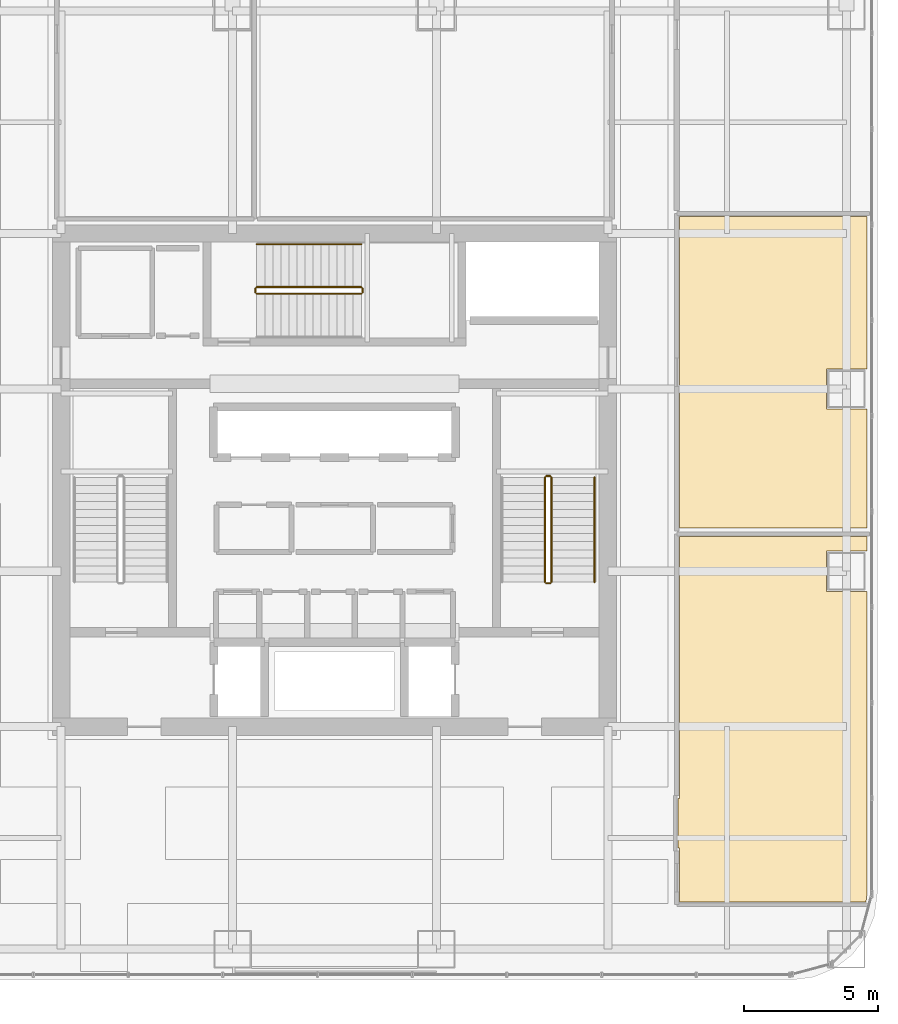
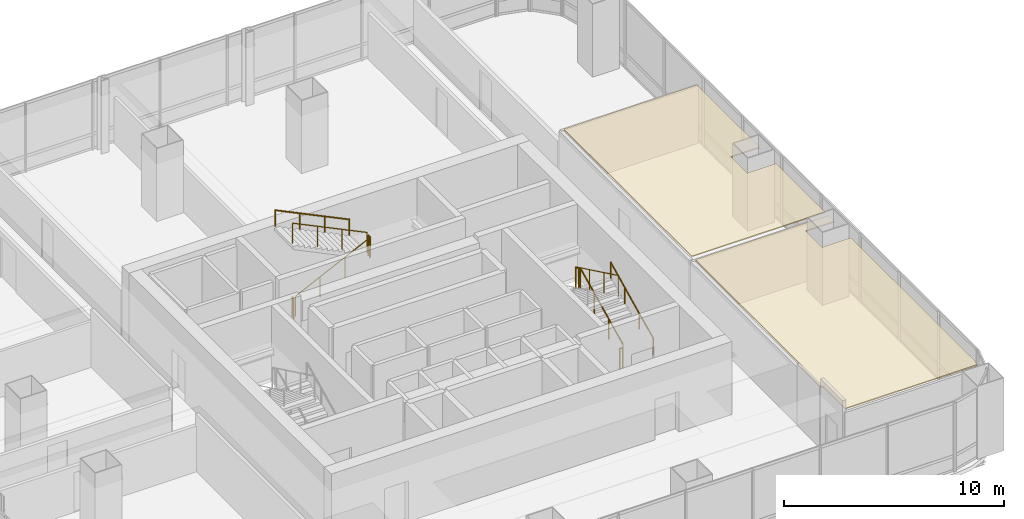
# One storey, part 37 of 38: 10 railings, 2 coverings.
"""IFC4 building model written with IfcOpenShell, lengths in metres."""

from ifc_helpers import new_model, si_unit, direction, frame, origin, origin_2d, place, context, subcontext, project, spatial, polyline, circle, outline, extrude, material, layer, layer_set, type_object, element, save


model = new_model("IFC4")

# Units and contexts
model_context = context("Model", 3, precision=1e-05, world=origin(), true_north=direction((0.0, 1.0)))
body_context = subcontext(model_context, "Body", "Model", "MODEL_VIEW")
ifc_project = project(units=[si_unit("LENGTHUNIT", "METRE"), si_unit("AREAUNIT", "SQUARE_METRE"), si_unit("VOLUMEUNIT", "CUBIC_METRE"), si_unit("PLANEANGLEUNIT", "RADIAN"), si_unit("MASSUNIT", "GRAM", prefix="KILO")], contexts=[model_context])

# Site, building, storey
site_placement = place(None, origin())
site = spatial("IfcSite", under=ifc_project, at=site_placement, CompositionType="ELEMENT")
building_placement = place(site_placement, origin())
building = spatial("IfcBuilding", under=site, at=building_placement, Name="Punatoya Terracotta Tower", CompositionType="ELEMENT")
storey_placement = place(building_placement, frame((0.0, 0.0, 143.85009765625)))
storey = spatial("IfcBuildingStorey", under=building, at=storey_placement, Name="L33", CompositionType="ELEMENT", Elevation=143.85009765625)

# Coverings
ifc_material_1 = material(Name="Acoustic Mineral Fibre Ceiling")
ifc_layer = layer(ifc_material_1, 0.06005859375)
ifc_layer_set = layer_set([ifc_layer], Name="Acoustic Mineral Fibre Ceiling")
covering_type = type_object("IfcCoveringType", Name="COV-CEIL-60", PredefinedType="CEILING", material=ifc_layer_set)
covering_1_placement = place(storey_placement, frame((0.0, 0.0, 3.219970703125)))
element("IfcCovering", 1, at=covering_1_placement, inside=storey, type_object=covering_type, Name="L33 Open-Plan Computational Simulation Laboratory Acoustic Ceiling", PredefinedType="CEILING", context=body_context, shape_type="SweptSolid", body=[
    extrude(outline(polyline([(12.81005859375, -13.72998046875), (12.8701171875, -13.72998046875), (12.8701171875, -15.739990234375), (19.82861328125, -15.739990234375), (19.8701171875, -15.425048828125), (19.8701171875, -4.14990234375), (18.35009765625, -4.14990234375), (18.35009765625, -2.64990234375), (19.8701171875, -2.64990234375), (19.8701171875, -2.113037109375), (12.8701171875, -2.113037109375), (12.8701171875, -11.8701171875), (12.81005859375, -11.8701171875), (12.81005859375, -13.72998046875)])), origin(), (0.0, 0.0, 1.0), 0.059814453125),
])
covering_2_placement = place(storey_placement, frame((0.0, 0.0, 3.219970703125)))
element("IfcCovering", 2, at=covering_2_placement, inside=storey, type_object=covering_type, Name="L33 Open-Plan Materials Testing Laboratory Acoustic Ceiling", PredefinedType="CEILING", context=body_context, shape_type="SweptSolid", body=[
    extrude(outline(polyline([(18.35009765625, 4.14990234375), (19.8701171875, 4.14990234375), (19.8701171875, 9.842041015625), (12.8701171875, 9.842041015625), (12.8701171875, -1.79296875), (19.8701171875, -1.79296875), (19.8701171875, 2.64990234375), (18.35009765625, 2.64990234375), (18.35009765625, 4.14990234375)])), origin(), (0.0, 0.0, 1.0), 0.059814453125),
])

# Railings
ifc_material_2 = material(Name="Steel S355", Category="steel")
railing_type_1 = type_object("IfcRailingType", Name="RLG-GRD-1150", PredefinedType="GUARDRAIL", material=ifc_material_2)
railing_1_placement = place(storey_placement, frame((8.10009765625, -3.800048828125, 0.14453125)))
element("IfcRailing", 3, at=railing_1_placement, inside=storey, type_object=railing_type_1, Name="L33 ST-2 stair guard 1", PredefinedType="GUARDRAIL", context=body_context, shape_type="SweptSolid", body=[
    extrude(circle(Radius=0.02392578125, at=origin_2d()), frame((0.0, 0.0, 1.1259765625), z_axis=(0.0, 0.900773802044, 0.434288564841), x_axis=(-1.0, 0.0, 0.0)), (0.0, 0.0, 1.0), 4.329833984375),
    extrude(circle(Radius=0.02099609375, at=origin_2d()), origin(), (0.0, 0.0, 1.0), 1.101806640625),
    extrude(circle(Radius=0.02099609375, at=origin_2d()), frame((0.0, 1.300048828125, 0.626708984375)), (0.0, 0.0, 1.0), 1.101806640625),
    extrude(circle(Radius=0.02099609375, at=origin_2d()), frame((0.0, 2.60009765625, 1.253662109375)), (0.0, 0.0, 1.0), 1.101806640625),
    extrude(circle(Radius=0.02099609375, at=origin_2d()), frame((0.0, 3.900146484375, 1.88037109375)), (0.0, 0.0, 1.0), 1.101806640625),
])
railing_2_placement = place(storey_placement, frame((8.050048828125, 0.14990234375, 2.02490234375)))
element("IfcRailing", 4, at=railing_2_placement, inside=storey, type_object=railing_type_1, Name="L33 ST-2 stair guard 2", PredefinedType="GUARDRAIL", context=body_context, shape_type="SweptSolid", body=[
    extrude(circle(Radius=0.02392578125, at=origin_2d()), frame((0.0, 0.0, 1.1259765625), z_axis=(-1.0, 0.0, 0.0), x_axis=(0.0, -1.0, 0.0)), (0.0, 0.0, 1.0), 0.150146484375),
    extrude(circle(Radius=0.02099609375, at=origin_2d()), origin(), (0.0, 0.0, 1.0), 1.101806640625),
    extrude(circle(Radius=0.02099609375, at=origin_2d()), frame((-0.150146484375, 0.0, 0.0)), (0.0, 0.0, 1.0), 1.101806640625),
])
railing_3_placement = place(storey_placement, frame((7.85009765625, 0.10009765625, 2.16943359375)))
element("IfcRailing", 5, at=railing_3_placement, inside=storey, type_object=railing_type_1, Name="L33 ST-2 stair guard 3", PredefinedType="GUARDRAIL", context=body_context, shape_type="SweptSolid", body=[
    extrude(circle(Radius=0.02392578125, at=origin_2d()), frame((0.0, 0.0, 1.1259765625), z_axis=(0.0, -0.900773802044, 0.434288564841), x_axis=(1.0, 0.0, 0.0)), (0.0, 0.0, 1.0), 4.329833984375),
    extrude(circle(Radius=0.02099609375, at=origin_2d()), origin(), (0.0, 0.0, 1.0), 1.101806640625),
    extrude(circle(Radius=0.02099609375, at=origin_2d()), frame((0.0, -1.300048828125, 0.626708984375)), (0.0, 0.0, 1.0), 1.101806640625),
    extrude(circle(Radius=0.02099609375, at=origin_2d()), frame((0.0, -2.60009765625, 1.253662109375)), (0.0, 0.0, 1.0), 1.101806640625),
    extrude(circle(Radius=0.02099609375, at=origin_2d()), frame((0.0, -3.900146484375, 1.88037109375)), (0.0, 0.0, 1.0), 1.101806640625),
])
railing_4_placement = place(storey_placement, frame((8.050048828125, -3.85009765625, 0.0)))
element("IfcRailing", 6, at=railing_4_placement, inside=storey, type_object=railing_type_1, Name="L33 ST-2 stair guard 4", PredefinedType="GUARDRAIL", context=body_context, shape_type="SweptSolid", body=[
    extrude(circle(Radius=0.02392578125, at=origin_2d()), frame((0.0, 0.0, 1.1259765625), z_axis=(-1.0, 0.0, 0.0), x_axis=(0.0, -1.0, 0.0)), (0.0, 0.0, 1.0), 0.150146484375),
    extrude(circle(Radius=0.02099609375, at=origin_2d()), origin(), (0.0, 0.0, 1.0), 1.101806640625),
    extrude(circle(Radius=0.02099609375, at=origin_2d()), frame((-0.150146484375, 0.0, 0.0)), (0.0, 0.0, 1.0), 1.101806640625),
])
railing_5_placement = place(storey_placement, frame((-2.89990234375, 6.949951171875, 0.14453125)))
element("IfcRailing", 7, at=railing_5_placement, inside=storey, type_object=railing_type_1, Name="L33 ST-3 stair guard 1", PredefinedType="GUARDRAIL", context=body_context, shape_type="SweptSolid", body=[
    extrude(circle(Radius=0.02392578125, at=origin_2d()), frame((0.0, 0.0, 1.1259765625), z_axis=(0.900763166376, 0.0, 0.434310623978), x_axis=(0.0, 1.0, 0.0)), (0.0, 0.0, 1.0), 4.32958984375),
    extrude(circle(Radius=0.02099609375, at=origin_2d()), origin(), (0.0, 0.0, 1.0), 1.101806640625),
    extrude(circle(Radius=0.02099609375, at=origin_2d()), frame((1.300048828125, 0.0, 0.626708984375)), (0.0, 0.0, 1.0), 1.101806640625),
    extrude(circle(Radius=0.02099609375, at=origin_2d()), frame((2.599853515625, 0.0, 1.253662109375)), (0.0, 0.0, 1.0), 1.101806640625),
    extrude(circle(Radius=0.02099609375, at=origin_2d()), frame((3.89990234375, 0.0, 1.88037109375)), (0.0, 0.0, 1.0), 1.101806640625),
])
railing_6_placement = place(storey_placement, frame((1.050048828125, 7.0, 2.02490234375)))
element("IfcRailing", 8, at=railing_6_placement, inside=storey, type_object=railing_type_1, Name="L33 ST-3 stair guard 2", PredefinedType="GUARDRAIL", context=body_context, shape_type="SweptSolid", body=[
    extrude(circle(Radius=0.02392578125, at=origin_2d()), frame((0.0, 0.0, 1.1259765625), z_axis=(0.0, 1.0, 0.0), x_axis=(-1.0, 0.0, 0.0)), (0.0, 0.0, 1.0), 0.14990234375),
    extrude(circle(Radius=0.02099609375, at=origin_2d()), origin(), (0.0, 0.0, 1.0), 1.101806640625),
    extrude(circle(Radius=0.02099609375, at=origin_2d()), frame((0.0, 0.14990234375, 0.0)), (0.0, 0.0, 1.0), 1.101806640625),
])
railing_7_placement = place(storey_placement, frame((1.0, 7.199951171875, 2.16943359375)))
element("IfcRailing", 9, at=railing_7_placement, inside=storey, type_object=railing_type_1, Name="L33 ST-3 stair guard 3", PredefinedType="GUARDRAIL", context=body_context, shape_type="SweptSolid", body=[
    extrude(circle(Radius=0.02392578125, at=origin_2d()), frame((0.0, 0.0, 1.1259765625), z_axis=(-0.900763166376, 0.0, 0.434310623978), x_axis=(0.0, -1.0, 0.0)), (0.0, 0.0, 1.0), 4.32958984375),
    extrude(circle(Radius=0.02099609375, at=origin_2d()), origin(), (0.0, 0.0, 1.0), 1.101806640625),
    extrude(circle(Radius=0.02099609375, at=origin_2d()), frame((-1.300048828125, 0.0, 0.626708984375)), (0.0, 0.0, 1.0), 1.101806640625),
    extrude(circle(Radius=0.02099609375, at=origin_2d()), frame((-2.599853515625, 0.0, 1.253662109375)), (0.0, 0.0, 1.0), 1.101806640625),
    extrude(circle(Radius=0.02099609375, at=origin_2d()), frame((-3.89990234375, 0.0, 1.88037109375)), (0.0, 0.0, 1.0), 1.101806640625),
])
railing_8_placement = place(storey_placement, frame((-2.949951171875, 7.0, 0.0)))
element("IfcRailing", 10, at=railing_8_placement, inside=storey, type_object=railing_type_1, Name="L33 ST-3 stair guard 4", PredefinedType="GUARDRAIL", context=body_context, shape_type="SweptSolid", body=[
    extrude(circle(Radius=0.02392578125, at=origin_2d()), frame((0.0, 0.0, 1.1259765625), z_axis=(0.0, 1.0, 0.0), x_axis=(-1.0, 0.0, 0.0)), (0.0, 0.0, 1.0), 0.14990234375),
    extrude(circle(Radius=0.02099609375, at=origin_2d()), origin(), (0.0, 0.0, 1.0), 1.101806640625),
    extrude(circle(Radius=0.02099609375, at=origin_2d()), frame((0.0, 0.14990234375, 0.0)), (0.0, 0.0, 1.0), 1.101806640625),
])
railing_type_2 = type_object("IfcRailingType", Name="RLG-HND-900", PredefinedType="HANDRAIL", material=ifc_material_2)
railing_9_placement = place(storey_placement, frame((9.699951171875, -3.800048828125, 0.14453125)))
element("IfcRailing", 11, at=railing_9_placement, inside=storey, type_object=railing_type_2, Name="L33 ST-2 stair handrail 1", PredefinedType="HANDRAIL", context=body_context, shape_type="SweptSolid", body=[
    extrude(circle(Radius=0.02392578125, at=origin_2d()), frame((0.0, 0.0, 0.8759765625), z_axis=(0.0, 0.900773802044, 0.434288564841), x_axis=(-1.0, 0.0, 0.0)), (0.0, 0.0, 1.0), 4.329833984375),
    extrude(circle(Radius=0.02099609375, at=origin_2d()), origin(), (0.0, 0.0, 1.0), 0.851806640625),
    extrude(circle(Radius=0.02099609375, at=origin_2d()), frame((0.0, 1.300048828125, 0.626708984375)), (0.0, 0.0, 1.0), 0.851806640625),
    extrude(circle(Radius=0.02099609375, at=origin_2d()), frame((0.0, 2.60009765625, 1.253662109375)), (0.0, 0.0, 1.0), 0.851806640625),
    extrude(circle(Radius=0.02099609375, at=origin_2d()), frame((0.0, 3.900146484375, 1.88037109375)), (0.0, 0.0, 1.0), 0.851806640625),
])
railing_10_placement = place(storey_placement, frame((1.0, 8.800048828125, 2.16943359375)))
element("IfcRailing", 12, at=railing_10_placement, inside=storey, type_object=railing_type_2, Name="L33 ST-3 stair handrail 2", PredefinedType="HANDRAIL", context=body_context, shape_type="SweptSolid", body=[
    extrude(circle(Radius=0.02392578125, at=origin_2d()), frame((0.0, 0.0, 0.8759765625), z_axis=(-0.900763166376, 0.0, 0.434310623978), x_axis=(0.0, -1.0, 0.0)), (0.0, 0.0, 1.0), 4.32958984375),
    extrude(circle(Radius=0.02099609375, at=origin_2d()), origin(), (0.0, 0.0, 1.0), 0.851806640625),
    extrude(circle(Radius=0.02099609375, at=origin_2d()), frame((-1.300048828125, 0.0, 0.626708984375)), (0.0, 0.0, 1.0), 0.851806640625),
    extrude(circle(Radius=0.02099609375, at=origin_2d()), frame((-2.599853515625, 0.0, 1.253662109375)), (0.0, 0.0, 1.0), 0.851806640625),
    extrude(circle(Radius=0.02099609375, at=origin_2d()), frame((-3.89990234375, 0.0, 1.88037109375)), (0.0, 0.0, 1.0), 0.851806640625),
])

save(model, "model.ifc")
